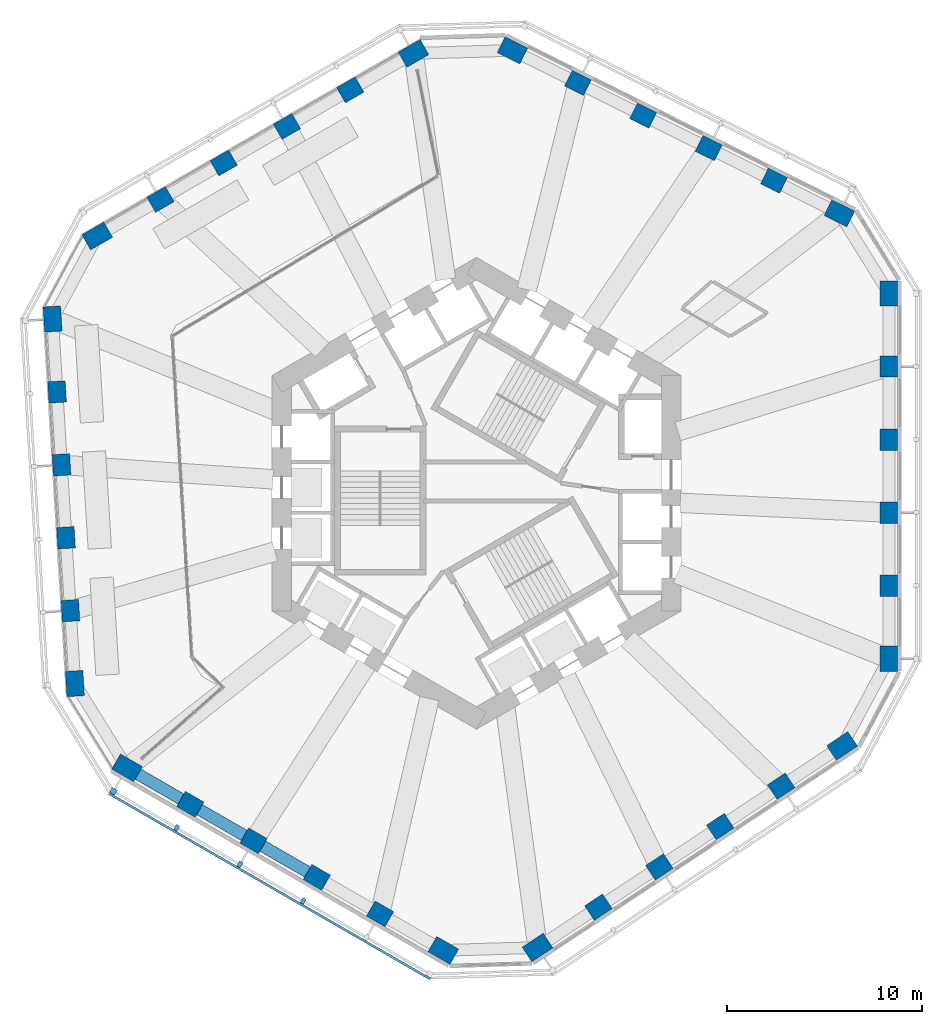
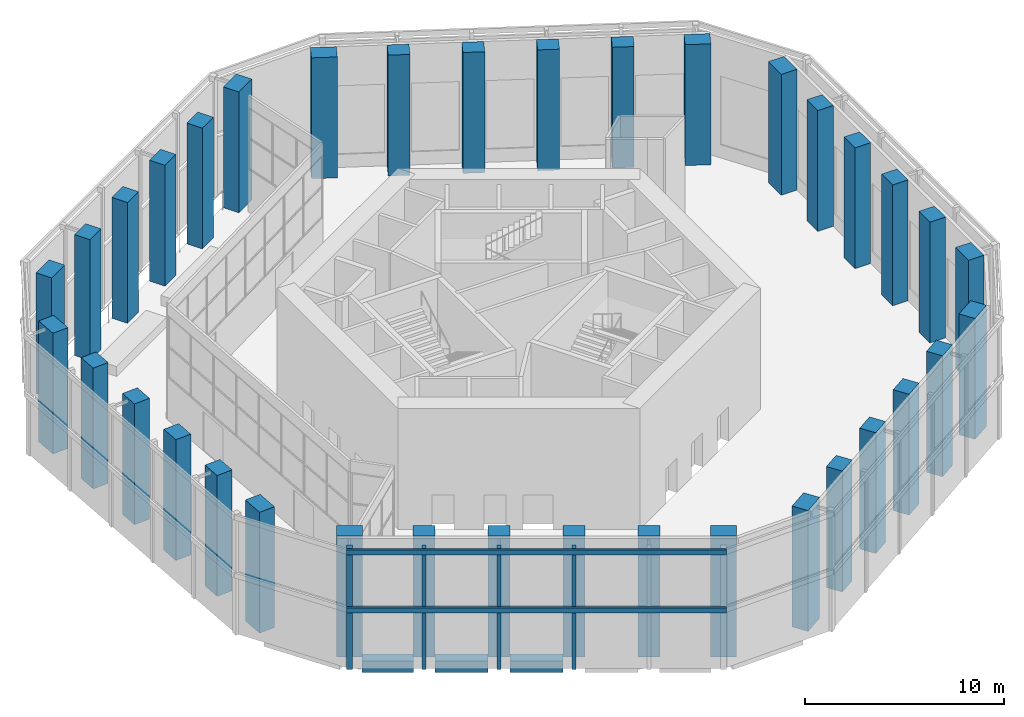
# One storey, part 1 of 19: 36 columns, 6 members, 3 beams, 1 element without a shape of its own.
"""IFC4 building model written with IfcOpenShell, lengths in metres."""

from ifc_helpers import new_model, si_unit, direction, frame, origin, origin_2d, place, context, subcontext, project, spatial, rectangle, extrude, material, material_profile, profile_set, type_object, element, aggregate, save


model = new_model("IFC4")

# Units and contexts
model_context = context("Model", 3, precision=1e-05, world=origin(), true_north=direction((0.0, 1.0)))
body_context = subcontext(model_context, "Body", "Model", "MODEL_VIEW")
ifc_project = project(units=[si_unit("LENGTHUNIT", "METRE"), si_unit("AREAUNIT", "SQUARE_METRE"), si_unit("VOLUMEUNIT", "CUBIC_METRE"), si_unit("PLANEANGLEUNIT", "RADIAN"), si_unit("MASSUNIT", "GRAM", prefix="KILO")], contexts=[model_context])

# Site, building, storey
site_placement = place(None, origin())
site = spatial("IfcSite", under=ifc_project, at=site_placement, CompositionType="ELEMENT")
building_placement = place(site_placement, origin())
building = spatial("IfcBuilding", under=site, at=building_placement, Name="Vanh Sen Convention Tower", CompositionType="ELEMENT")
storey_placement = place(building_placement, frame((0.0, 0.0, 139.199951171875)))
storey = spatial("IfcBuildingStorey", under=building, at=storey_placement, Name="L34", CompositionType="ELEMENT", Elevation=139.199951171875)

# Columns
ifc_material_1 = material(Name="Concrete C80/95", Category="concrete")
ifc_material_profile_1 = material_profile(ifc_material_1, rectangle(XDim=1.10009765625, YDim=0.89990234375, at=origin_2d()), Name="RC 1100X900")
ifc_profile_set_1 = profile_set([ifc_material_profile_1], Name="Concrete C80/95")
column_type_1 = type_object("IfcColumnType", Name="Facade column 1100 x 900 C80/95", PredefinedType="COLUMN", material=ifc_profile_set_1)
for number, where, z_axis, x_axis, name in (
    (1, (21.199951171875, -4.746826171875, 0.0), (0.0, 0.0, 1.0), (0.0, 1.0, 0.0), "Facade column 02 L34"),
    (2, (21.199951171875, -0.992919921875, 0.0), (0.0, 0.0, 1.0), (0.0, 1.0, 0.0), "Facade column 03 L34"),
    (3, (21.199951171875, 2.76123046875, 0.0), (0.0, 0.0, 1.0), (0.0, 1.0, 0.0), "Facade column 04 L34"),
    (4, (21.199951171875, 6.515380859375, 0.0), (0.0, 0.0, 1.0), (0.0, 1.0, 0.0), "Facade column 05 L34"),
    (5, (15.290283203125, 16.0654296875, 0.0), (0.0, 0.0, 1.0), (-0.894934361602, 0.44619781311, 0.0), "Facade column 08 L34"),
    (6, (11.9306640625, 17.740478515625, 0.0), (0.0, 0.0, 1.0), (-0.894934361602, 0.44619781311, 0.0), "Facade column 09 L34"),
    (7, (8.57080078125, 19.41552734375, 0.0), (0.0, 0.0, 1.0), (-0.894934361602, 0.44619781311, 0.0), "Facade column 10 L34"),
    (8, (5.211181640625, 21.0908203125, 0.0), (0.0, 0.0, 1.0), (-0.894934361602, 0.44619781311, 0.0), "Facade column 11 L34"),
    (9, (-6.489013671875, 20.733154296875, 0.0), (0.0, 0.0, 1.0), (-0.866025403784, -0.5, 0.0), "Facade column 14 L34"),
    (10, (-9.740234375, 18.856201171875, 0.0), (0.0, 0.0, 1.0), (-0.866025403784, -0.5, 0.0), "Facade column 15 L34"),
    (11, (-12.991455078125, 16.97900390625, 0.0), (0.0, 0.0, 1.0), (-0.866025403784, -0.5, 0.0), "Facade column 16 L34"),
    (12, (-16.242431640625, 15.10205078125, 0.0), (0.0, 0.0, 1.0), (-0.866025403784, -0.5, 0.0), "Facade column 17 L34"),
    (13, (-21.55810546875, 5.208984375, 0.0), (0.0, 0.0, 1.0), (0.061048539535, -0.998134798422, 0.0), "Facade column 20 L34"),
    (14, (-21.3291015625, 1.4619140625, 0.0), (0.0, 0.0, 1.0), (0.061048539535, -0.998134798422, 0.0), "Facade column 21 L34"),
    (15, (-21.099853515625, -2.28515625, 0.0), (0.0, 0.0, 1.0), (0.061048539535, -0.998134798422, 0.0), "Facade column 22 L34"),
    (16, (-20.87060546875, -6.0322265625, 0.0), (0.0, 0.0, 1.0), (0.061048539535, -0.998134798422, 0.0), "Facade column 23 L34"),
    (17, (-14.7109375, -15.986328125, 0.0), (0.0, 0.0, 1.0), (0.866025403784, -0.5, 0.0), "Facade column 26 L34"),
    (18, (-11.459716796875, -17.86328125, 0.0), (0.0, 0.0, 1.0), (0.866025403784, -0.5, 0.0), "Facade column 27 L34"),
    (19, (-8.20849609375, -19.740478515625, 0.0), (0.0, 0.0, 1.0), (0.866025403784, -0.5, 0.0), "Facade column 28 L34"),
    (20, (-4.95751953125, -21.617431640625, 0.0), (0.0, 0.0, 1.0), (0.866025403784, -0.5, 0.0), "Facade column 29 L34"),
    (21, (6.267822265625, -21.2744140625, 0.0), (0.0, 0.0, 1.0), (0.833885822067, 0.551936985312, 0.0), "Facade column 32 L34"),
    (22, (9.3984375, -19.202392578125, 0.0), (0.0, 0.0, 1.0), (0.833885822067, 0.551936985312, 0.0), "Facade column 33 L34"),
    (23, (12.52880859375, -17.13037109375, 0.0), (0.0, 0.0, 1.0), (0.833885822067, 0.551936985312, 0.0), "Facade column 34 L34"),
    (24, (15.659423828125, -15.058349609375, 0.0), (0.0, 0.0, 1.0), (0.833885822067, 0.551936985312, 0.0), "Facade column 35 L34"),
):
    element("IfcColumn", number, at=place(storey_placement, frame(where, z_axis=z_axis, x_axis=x_axis)), inside=storey, type_object=column_type_1, Name=name, PredefinedType="COLUMN", context=body_context, shape_type="SweptSolid", body=[
        extrude(rectangle(XDim=1.10009765625, YDim=0.89990234375, at=origin_2d()), origin(), (0.0, 0.0, 1.0), 7.400146484375),
    ])
ifc_material_profile_2 = material_profile(ifc_material_1, rectangle(XDim=1.300048828125, YDim=0.89990234375, at=origin_2d()), Name="RC 1300X900")
ifc_profile_set_2 = profile_set([ifc_material_profile_2], Name="Concrete C80/95")
column_type_2 = type_object("IfcColumnType", Name="Facade corner column 1300 x 900 C80/95", PredefinedType="COLUMN", material=ifc_profile_set_2)
for number, where, z_axis, x_axis, name in (
    (25, (21.199951171875, -8.5009765625, 0.0), (0.0, 0.0, 1.0), (0.0, 1.0, 0.0), "Facade column 01 L34"),
    (26, (21.199951171875, 10.26953125, 0.0), (0.0, 0.0, 1.0), (0.0, 1.0, 0.0), "Facade column 06 L34"),
    (27, (18.64990234375, 14.390380859375, 0.0), (0.0, 0.0, 1.0), (-0.894934361602, 0.44619781311, 0.0), "Facade column 07 L34"),
    (28, (1.8515625, 22.765625, 0.0), (0.0, 0.0, 1.0), (-0.894934361602, 0.44619781311, 0.0), "Facade column 12 L34"),
    (29, (-3.23779296875, 22.610107421875, 0.0), (0.0, 0.0, 1.0), (-0.866025403784, -0.5, 0.0), "Facade column 13 L34"),
    (30, (-19.49365234375, 13.22509765625, 0.0), (0.0, 0.0, 1.0), (-0.866025403784, -0.5, 0.0), "Facade column 18 L34"),
    (31, (-21.787353515625, 8.956298828125, 0.0), (0.0, 0.0, 1.0), (0.061048539535, -0.998134798422, 0.0), "Facade column 19 L34"),
    (32, (-20.6416015625, -9.779296875, 0.0), (0.0, 0.0, 1.0), (0.061048539535, -0.998134798422, 0.0), "Facade column 24 L34"),
    (33, (-17.962158203125, -14.109130859375, 0.0), (0.0, 0.0, 1.0), (0.866025403784, -0.5, 0.0), "Facade column 25 L34"),
    (34, (-1.706298828125, -23.494384765625, 0.0), (0.0, 0.0, 1.0), (0.866025403784, -0.5, 0.0), "Facade column 30 L34"),
    (35, (3.137451171875, -23.346435546875, 0.0), (0.0, 0.0, 1.0), (0.833885822067, 0.551936985312, 0.0), "Facade column 31 L34"),
    (36, (18.789794921875, -12.986328125, 0.0), (0.0, 0.0, 1.0), (0.833885822067, 0.551936985312, 0.0), "Facade column 36 L34"),
):
    element("IfcColumn", number, at=place(storey_placement, frame(where, z_axis=z_axis, x_axis=x_axis)), inside=storey, type_object=column_type_2, Name=name, PredefinedType="COLUMN", context=body_context, shape_type="SweptSolid", body=[
        extrude(rectangle(XDim=1.300048828125, YDim=0.89990234375, at=origin_2d()), origin(), (0.0, 0.0, 1.0), 7.400146484375),
    ])

# Curtain wall, members
ifc_material_2 = material(Name="Concrete C50/60", Category="concrete")
curtain_wall_type = type_object("IfcCurtainWallType", Name="Outer skin office zone", PredefinedType="NOTDEFINED", material=ifc_material_2)
curtain_wall_placement = place(storey_placement, origin())
curtain_wall = element("IfcCurtainWall", 37, at=curtain_wall_placement, inside=storey, type_object=curtain_wall_type, Name="OUTER SKIN SW L34", PredefinedType="NOTDEFINED")
ifc_material_profile_3 = material_profile(ifc_material_2, rectangle(XDim=0.300048828125, YDim=0.300048828125, at=origin_2d()), Name="Outer skin precast corner fin 300 x 300")
ifc_profile_set_3 = profile_set([ifc_material_profile_3], Name="Concrete C50/60")
member_type_1 = type_object("IfcMemberType", Name="Outer skin precast corner fin 300 x 300", PredefinedType="MULLION", material=ifc_profile_set_3)
member_1_placement = place(storey_placement, frame((-18.662109375, -15.321533203125, 0.0), z_axis=(0.0, 0.0, 1.0), x_axis=(0.866025403784, -0.5, 0.0)))
member_1 = element("IfcMember", 38, at=member_1_placement, type_object=member_type_1, Name="OUTER SKIN CORNER FIN 1 SW L34", PredefinedType="MULLION", context=body_context, shape_type="SweptSolid", body=[
    extrude(rectangle(XDim=0.300048828125, YDim=0.300048828125, at=origin_2d()), origin(), (0.0, 0.0, 1.0), 7.400146484375),
])
ifc_material_profile_4 = material_profile(ifc_material_2, rectangle(XDim=0.199951171875, YDim=0.300048828125, at=origin_2d()), Name="Outer skin precast fin 200 x 300")
ifc_profile_set_4 = profile_set([ifc_material_profile_4], Name="Concrete C50/60")
member_type_2 = type_object("IfcMemberType", Name="Outer skin precast fin 200 x 300", PredefinedType="MULLION", material=ifc_profile_set_4)
member_2_placement = place(storey_placement, frame((-15.410888671875, -17.19873046875, 0.0), z_axis=(0.0, 0.0, 1.0), x_axis=(0.866025403784, -0.5, 0.0)))
member_2 = element("IfcMember", 39, at=member_2_placement, type_object=member_type_2, Name="OUTER SKIN fin 2 SW L34", PredefinedType="MULLION", context=body_context, shape_type="SweptSolid", body=[
    extrude(rectangle(XDim=0.199951171875, YDim=0.300048828125, at=origin_2d()), origin(), (0.0, 0.0, 1.0), 7.400146484375),
])
member_3_placement = place(storey_placement, frame((-12.159912109375, -19.07568359375, 0.0), z_axis=(0.0, 0.0, 1.0), x_axis=(0.866025403784, -0.5, 0.0)))
member_3 = element("IfcMember", 40, at=member_3_placement, type_object=member_type_2, Name="OUTER SKIN fin 3 SW L34", PredefinedType="MULLION", context=body_context, shape_type="SweptSolid", body=[
    extrude(rectangle(XDim=0.199951171875, YDim=0.300048828125, at=origin_2d()), origin(), (0.0, 0.0, 1.0), 7.400146484375),
])
member_4_placement = place(storey_placement, frame((-8.90869140625, -20.952880859375, 0.0), z_axis=(0.0, 0.0, 1.0), x_axis=(0.866025403784, -0.5, 0.0)))
member_4 = element("IfcMember", 41, at=member_4_placement, type_object=member_type_2, Name="OUTER SKIN fin 4 SW L34", PredefinedType="MULLION", context=body_context, shape_type="SweptSolid", body=[
    extrude(rectangle(XDim=0.199951171875, YDim=0.300048828125, at=origin_2d()), origin(), (0.0, 0.0, 1.0), 7.400146484375),
])
ifc_material_profile_5 = material_profile(ifc_material_2, rectangle(XDim=0.1201171875, YDim=0.300048828125, at=origin_2d()), Name="Outer skin precast spandrel band 300 x 120")
ifc_profile_set_5 = profile_set([ifc_material_profile_5], Name="Concrete C50/60")
member_type_3 = type_object("IfcMemberType", Name="Outer skin precast spandrel band 300 x 120", PredefinedType="USERDEFINED", material=ifc_profile_set_5)
member_5_placement = place(storey_placement, frame((-18.89697265625, -15.428466796875, 7.25), z_axis=(0.866023136587, -0.500003926881, 0.0), x_axis=(0.500003926881, 0.866023136587, 0.0)))
member_5 = element("IfcMember", 42, at=member_5_placement, type_object=member_type_3, Name="OUTER SKIN spandrel band SW L34", ObjectType="TRANSOM", PredefinedType="USERDEFINED", context=body_context, shape_type="SweptSolid", body=[
    extrude(rectangle(XDim=0.1201171875, YDim=0.300048828125, at=origin_2d()), origin(), (0.0, 0.0, 1.0), 19.070556640625),
])
member_6_placement = place(storey_placement, frame((-18.89697265625, -15.428466796875, 3.699951171875), z_axis=(0.866023136587, -0.500003926881, 0.0), x_axis=(0.500003926881, 0.866023136587, 0.0)))
member_6 = element("IfcMember", 43, at=member_6_placement, type_object=member_type_3, Name="OUTER SKIN spandrel band SW L34 mid", ObjectType="TRANSOM", PredefinedType="USERDEFINED", context=body_context, shape_type="SweptSolid", body=[
    extrude(rectangle(XDim=0.1201171875, YDim=0.300048828125, at=origin_2d()), origin(), (0.0, 0.0, 1.0), 19.070556640625),
])
aggregate(curtain_wall, [member_1, member_2, member_3, member_4, member_5, member_6])

# Beams
ifc_material_3 = material(Name="Concrete C50/60", Category="concrete")
ifc_material_profile_6 = material_profile(ifc_material_3, rectangle(XDim=0.60009765625, YDim=0.699951171875, at=origin_2d()), Name="RC 600X700")
ifc_profile_set_6 = profile_set([ifc_material_profile_6], Name="Concrete C50/60")
beam_type = type_object("IfcBeamType", Name="Spandrel beam 600 x 700", PredefinedType="SPANDREL", material=ifc_profile_set_6)
beam_placement = place(storey_placement, frame((-17.403564453125, -14.431640625, -0.699951171875), z_axis=(0.866008007854, -0.500030129425, 0.0), x_axis=(0.500030129425, 0.866008007854, 0.0)))
element("IfcBeam", 44, at=beam_placement, inside=storey, type_object=beam_type, Name="Spandrel beam 25 L34", PredefinedType="SPANDREL", context=body_context, shape_type="SweptSolid", body=[
    extrude(rectangle(XDim=0.60009765625, YDim=0.699951171875, at=origin_2d()), origin(), (0.0, 0.0, 1.0), 2.564208984375),
])
for number, where, z_axis, x_axis, name in (
    (45, (-14.239013671875, -16.2587890625, -0.699951171875), (0.866023818221, -0.500002746266, 0.0), (0.500002746266, 0.866023818221, 0.0), "Spandrel beam 26 L34"),
    (46, (-10.98779296875, -18.1357421875, -0.699951171875), (0.8659841347, -0.500071473339, 0.0), (0.500071473339, 0.8659841347, 0.0), "Spandrel beam 27 L34"),
):
    element("IfcBeam", number, at=place(storey_placement, frame(where, z_axis=z_axis, x_axis=x_axis)), inside=storey, type_object=beam_type, Name=name, PredefinedType="SPANDREL", context=body_context, shape_type="SweptSolid", body=[
        extrude(rectangle(XDim=0.60009765625, YDim=0.699951171875, at=origin_2d()), origin(), (0.0, 0.0, 1.0), 2.6640625),
    ])

save(model, "model.ifc")
